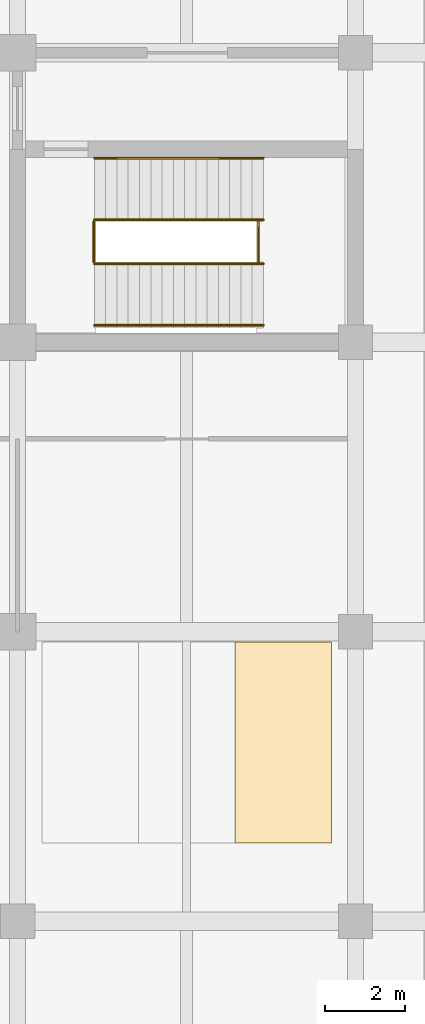
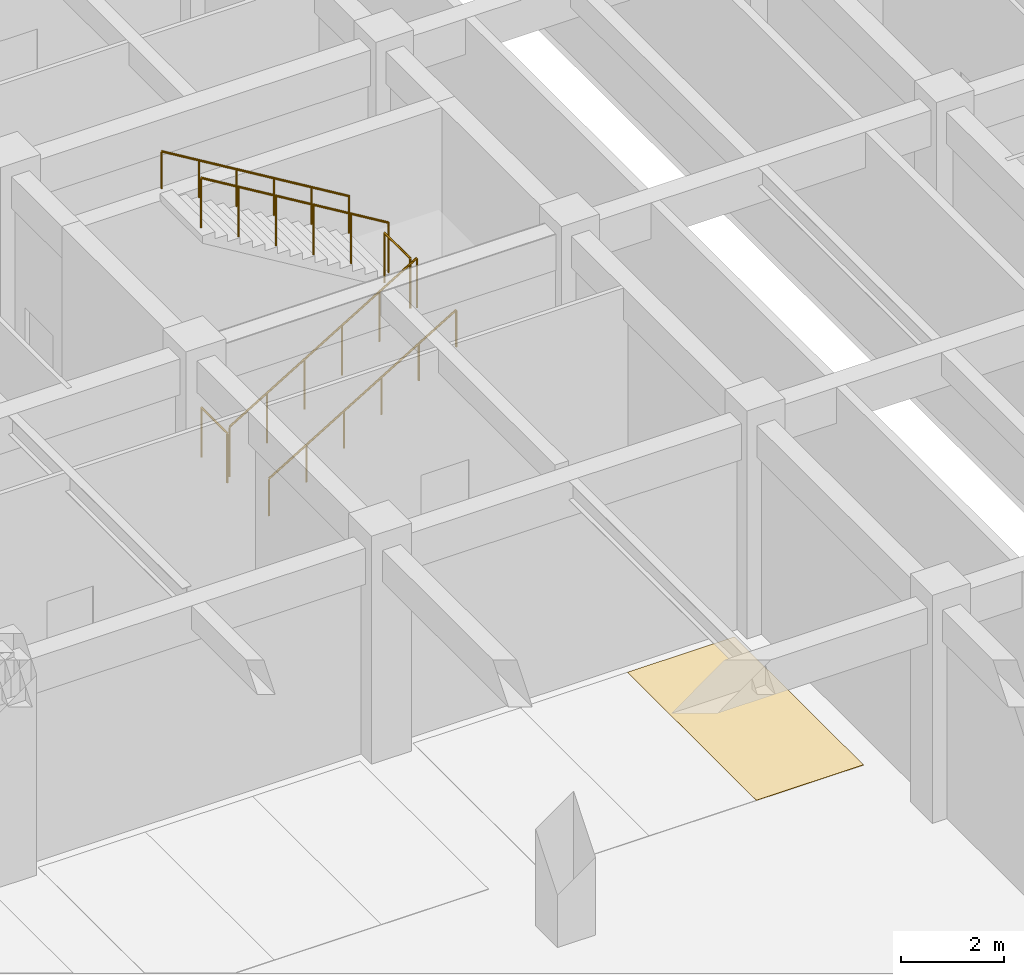
# One storey, part 47 of 48: 6 railings, 1 covering.
"""IFC4 building model written with IfcOpenShell, lengths in metres."""

from ifc_helpers import new_model, si_unit, direction, frame, origin, origin_2d, place, context, subcontext, project, spatial, polyline, circle, outline, extrude, material, layer, layer_set, type_object, element, save


model = new_model("IFC4")

# Units and contexts
model_context = context("Model", 3, precision=1e-05, world=origin(), true_north=direction((0.0, 1.0)))
body_context = subcontext(model_context, "Body", "Model", "MODEL_VIEW")
ifc_project = project(units=[si_unit("LENGTHUNIT", "METRE"), si_unit("AREAUNIT", "SQUARE_METRE"), si_unit("VOLUMEUNIT", "CUBIC_METRE"), si_unit("PLANEANGLEUNIT", "RADIAN"), si_unit("MASSUNIT", "GRAM", prefix="KILO")], contexts=[model_context])

# Site, building, storey
site_placement = place(None, origin())
site = spatial("IfcSite", under=ifc_project, at=site_placement, CompositionType="ELEMENT")
building_placement = place(site_placement, origin())
building = spatial("IfcBuilding", under=site, at=building_placement, Name="Chengyuan Square Courthouse", CompositionType="ELEMENT")
storey_placement = place(building_placement, frame((0.0, 0.0, -5.39990234375)))
storey = spatial("IfcBuildingStorey", under=building, at=storey_placement, Name="B01", CompositionType="ELEMENT", Elevation=-5.39990234375)

# Covering
ifc_material_1 = material(Name="Thermoplastic Parking Bay Marking Paint")
ifc_layer = layer(ifc_material_1, 0.010009765625)
ifc_layer_set = layer_set([ifc_layer], Name="Thermoplastic Parking Bay Marking Paint")
covering_type = type_object("IfcCoveringType", Name="PKB-01", PredefinedType="FLOORING", material=ifc_layer_set)
covering_placement = place(storey_placement, origin())
element("IfcCovering", 1, at=covering_placement, inside=storey, type_object=covering_type, Name="Parking Bay Marking B01-P172", PredefinedType="FLOORING", context=body_context, shape_type="SweptSolid", body=[
    extrude(outline(polyline([(148.199951171875, 73.949951171875), (150.60009765625, 73.949951171875), (150.60009765625, 78.949951171875), (148.199951171875, 78.949951171875), (148.199951171875, 73.949951171875)])), origin(), (0.0, 0.0, 1.0), 0.010009765625),
])

# Railings
ifc_material_2 = material(Name="Tempered Glass and Timber Top-Rail Balustrade", Category="wood")
railing_type_1 = type_object("IfcRailingType", Name="RL-02", PredefinedType="BALUSTRADE", material=ifc_material_2)
for number, where, name in (
    (2, (144.68994140625, 88.39990234375, 0.0), "Stair Floor Slot Guard ST-10 B01"),
    (3, (148.7900390625, 88.39990234375, 2.699951171875), "Stair Landing Guard ST-10-B01"),
):
    element("IfcRailing", number, at=place(storey_placement, frame(where)), inside=storey, type_object=railing_type_1, Name=name, PredefinedType="BALUSTRADE", context=body_context, shape_type="SweptSolid", body=[
        extrude(circle(Radius=0.02392578125, at=origin_2d()), frame((0.0, 0.0, 1.17578125), z_axis=(0.0, 1.0, 0.0), x_axis=(-1.0, 0.0, 0.0)), (0.0, 0.0, 1.0), 1.0),
        extrude(circle(Radius=0.02099609375, at=origin_2d()), origin(), (0.0, 0.0, 1.0), 1.15185546875),
        extrude(circle(Radius=0.02099609375, at=origin_2d()), frame((0.0, 1.0, 0.0)), (0.0, 0.0, 1.0), 1.15185546875),
    ])
railing_1_placement = place(storey_placement, frame((144.7099609375, 88.35009765625, 0.168701171875)))
element("IfcRailing", 4, at=railing_1_placement, inside=storey, type_object=railing_type_1, Name="Stair Flight 1 Guard ST-10-B01", PredefinedType="BALUSTRADE", context=body_context, shape_type="SweptSolid", body=[
    extrude(circle(Radius=0.02392578125, at=origin_2d()), frame((0.0, 0.0, 1.17578125), z_axis=(0.856476492594, 0.0, 0.516186030065), x_axis=(0.0, 1.0, 0.0)), (0.0, 0.0, 1.0), 4.90380859375),
    extrude(circle(Radius=0.02099609375, at=origin_2d()), origin(), (0.0, 0.0, 1.0), 1.15185546875),
    extrude(circle(Radius=0.02099609375, at=origin_2d()), frame((0.840087890625, 0.0, 0.50634765625)), (0.0, 0.0, 1.0), 1.15185546875),
    extrude(circle(Radius=0.02099609375, at=origin_2d()), frame((1.679931640625, 0.0, 1.012451171875)), (0.0, 0.0, 1.0), 1.15185546875),
    extrude(circle(Radius=0.02099609375, at=origin_2d()), frame((2.52001953125, 0.0, 1.518798828125)), (0.0, 0.0, 1.0), 1.15185546875),
    extrude(circle(Radius=0.02099609375, at=origin_2d()), frame((3.35986328125, 0.0, 2.02490234375)), (0.0, 0.0, 1.0), 1.15185546875),
    extrude(circle(Radius=0.02099609375, at=origin_2d()), frame((4.199951171875, 0.0, 2.53125)), (0.0, 0.0, 1.0), 1.15185546875),
])
railing_2_placement = place(storey_placement, frame((148.909912109375, 89.449951171875, 2.86865234375)))
element("IfcRailing", 5, at=railing_2_placement, inside=storey, type_object=railing_type_1, Name="Stair Flight 2 Guard ST-10-B01", PredefinedType="BALUSTRADE", context=body_context, shape_type="SweptSolid", body=[
    extrude(circle(Radius=0.02392578125, at=origin_2d()), frame((0.0, 0.0, 1.17578125), z_axis=(-0.856476492594, 0.0, 0.516186030065), x_axis=(0.0, -1.0, 0.0)), (0.0, 0.0, 1.0), 4.90380859375),
    extrude(circle(Radius=0.02099609375, at=origin_2d()), origin(), (0.0, 0.0, 1.0), 1.15185546875),
    extrude(circle(Radius=0.02099609375, at=origin_2d()), frame((-0.840087890625, 0.0, 0.50634765625)), (0.0, 0.0, 1.0), 1.15185546875),
    extrude(circle(Radius=0.02099609375, at=origin_2d()), frame((-1.679931640625, 0.0, 1.012451171875)), (0.0, 0.0, 1.0), 1.15185546875),
    extrude(circle(Radius=0.02099609375, at=origin_2d()), frame((-2.52001953125, 0.0, 1.518798828125)), (0.0, 0.0, 1.0), 1.15185546875),
    extrude(circle(Radius=0.02099609375, at=origin_2d()), frame((-3.35986328125, 0.0, 2.02490234375)), (0.0, 0.0, 1.0), 1.15185546875),
    extrude(circle(Radius=0.02099609375, at=origin_2d()), frame((-4.199951171875, 0.0, 2.53125)), (0.0, 0.0, 1.0), 1.15185546875),
])
ifc_material_3 = material(Name="Stainless Steel S30408 Stair Handrail", Category="steel")
railing_type_2 = type_object("IfcRailingType", Name="RL-04", PredefinedType="HANDRAIL", material=ifc_material_3)
railing_3_placement = place(storey_placement, frame((144.7099609375, 86.820068359375, 0.168701171875)))
element("IfcRailing", 6, at=railing_3_placement, inside=storey, type_object=railing_type_2, Name="Stair Flight 1 Handrail ST-10-B01", PredefinedType="HANDRAIL", context=body_context, shape_type="SweptSolid", body=[
    extrude(circle(Radius=0.02392578125, at=origin_2d()), frame((0.0, 0.0, 0.8759765625), z_axis=(0.856476492594, 0.0, 0.516186030065), x_axis=(0.0, 1.0, 0.0)), (0.0, 0.0, 1.0), 4.90380859375),
    extrude(circle(Radius=0.02099609375, at=origin_2d()), origin(), (0.0, 0.0, 1.0), 0.851806640625),
    extrude(circle(Radius=0.02099609375, at=origin_2d()), frame((0.840087890625, 0.0, 0.50634765625)), (0.0, 0.0, 1.0), 0.851806640625),
    extrude(circle(Radius=0.02099609375, at=origin_2d()), frame((1.679931640625, 0.0, 1.012451171875)), (0.0, 0.0, 1.0), 0.851806640625),
    extrude(circle(Radius=0.02099609375, at=origin_2d()), frame((2.52001953125, 0.0, 1.518798828125)), (0.0, 0.0, 1.0), 0.851806640625),
    extrude(circle(Radius=0.02099609375, at=origin_2d()), frame((3.35986328125, 0.0, 2.02490234375)), (0.0, 0.0, 1.0), 0.851806640625),
    extrude(circle(Radius=0.02099609375, at=origin_2d()), frame((4.199951171875, 0.0, 2.53125)), (0.0, 0.0, 1.0), 0.851806640625),
])
railing_4_placement = place(storey_placement, frame((148.909912109375, 90.97998046875, 2.86865234375)))
element("IfcRailing", 7, at=railing_4_placement, inside=storey, type_object=railing_type_2, Name="Stair Flight 2 Handrail ST-10-B01", PredefinedType="HANDRAIL", context=body_context, shape_type="SweptSolid", body=[
    extrude(circle(Radius=0.02392578125, at=origin_2d()), frame((0.0, 0.0, 0.8759765625), z_axis=(-0.856476492594, 0.0, 0.516186030065), x_axis=(0.0, -1.0, 0.0)), (0.0, 0.0, 1.0), 4.90380859375),
    extrude(circle(Radius=0.02099609375, at=origin_2d()), origin(), (0.0, 0.0, 1.0), 0.851806640625),
    extrude(circle(Radius=0.02099609375, at=origin_2d()), frame((-0.840087890625, 0.0, 0.50634765625)), (0.0, 0.0, 1.0), 0.851806640625),
    extrude(circle(Radius=0.02099609375, at=origin_2d()), frame((-1.679931640625, 0.0, 1.012451171875)), (0.0, 0.0, 1.0), 0.851806640625),
    extrude(circle(Radius=0.02099609375, at=origin_2d()), frame((-2.52001953125, 0.0, 1.518798828125)), (0.0, 0.0, 1.0), 0.851806640625),
    extrude(circle(Radius=0.02099609375, at=origin_2d()), frame((-3.35986328125, 0.0, 2.02490234375)), (0.0, 0.0, 1.0), 0.851806640625),
    extrude(circle(Radius=0.02099609375, at=origin_2d()), frame((-4.199951171875, 0.0, 2.53125)), (0.0, 0.0, 1.0), 0.851806640625),
])

save(model, "model.ifc")
